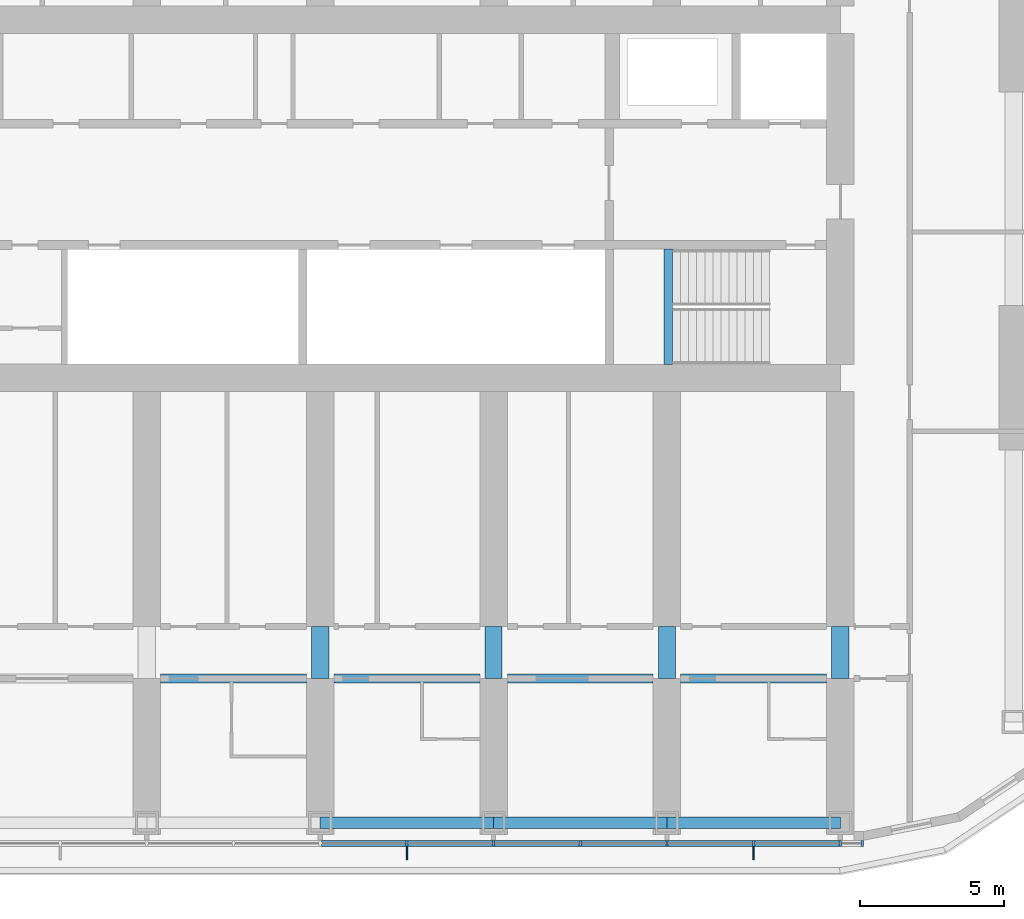
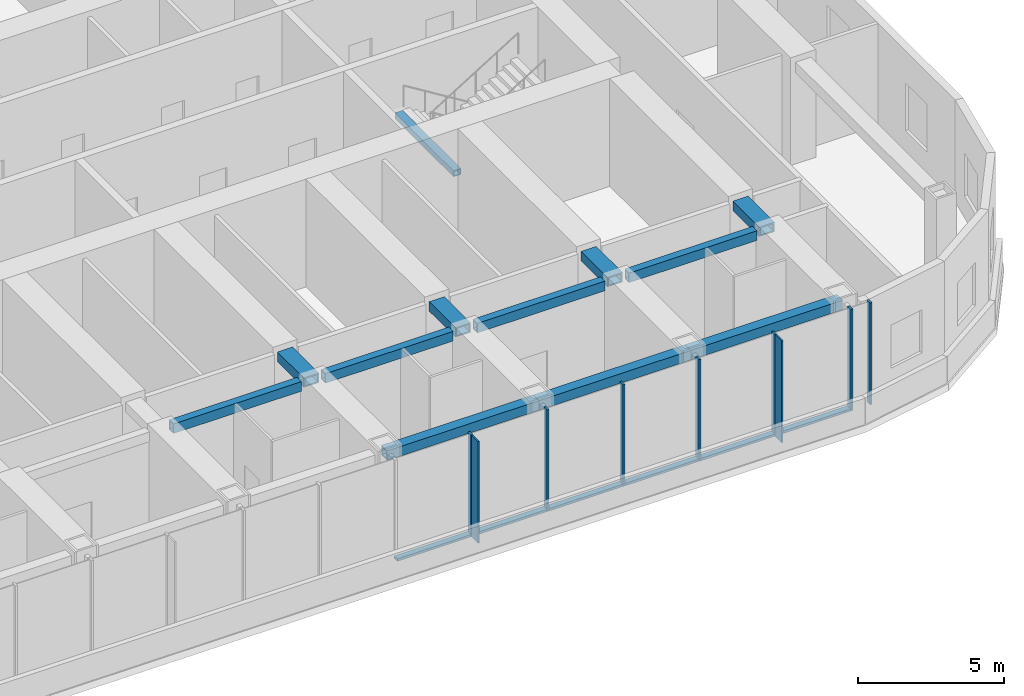
# One storey, part 3 of 32: 15 members, 12 beams, 1 element without a shape of its own.
"""IFC4 building model written with IfcOpenShell, lengths in metres."""

from ifc_helpers import new_model, si_unit, direction, frame, origin, origin_2d, place, context, subcontext, project, spatial, rectangle, hollow_rectangle, extrude, material, material_profile, profile_set, type_object, element, aggregate, save


model = new_model("IFC4")

# Units and contexts
model_context = context("Model", 3, precision=1e-05, world=origin(), true_north=direction((0.0, 1.0)))
body_context = subcontext(model_context, "Body", "Model", "MODEL_VIEW")
ifc_project = project(units=[si_unit("LENGTHUNIT", "METRE"), si_unit("AREAUNIT", "SQUARE_METRE"), si_unit("VOLUMEUNIT", "CUBIC_METRE"), si_unit("PLANEANGLEUNIT", "RADIAN"), si_unit("MASSUNIT", "GRAM", prefix="KILO")], contexts=[model_context])

# Site, building, storey
site_placement = place(None, origin())
site = spatial("IfcSite", under=ifc_project, at=site_placement, CompositionType="ELEMENT")
building_placement = place(site_placement, origin())
building = spatial("IfcBuilding", under=site, at=building_placement, Name="Orbita Commons", CompositionType="ELEMENT")
storey_placement = place(building_placement, frame((0.0, 0.0, 140.35009765625)))
storey = spatial("IfcBuildingStorey", under=building, at=storey_placement, Name="L34", CompositionType="ELEMENT", Elevation=140.35009765625)

# Curtain wall, members
ifc_material_1 = material(Name="Anodised aluminium frame, pale silver", Category="aluminium")
curtain_wall_type = type_object("IfcCurtainWallType", Name="Unitised curtain wall CW-S, full-height", PredefinedType="NOTDEFINED", material=ifc_material_1)
curtain_wall_placement = place(storey_placement, origin())
curtain_wall = element("IfcCurtainWall", 1, at=curtain_wall_placement, inside=storey, type_object=curtain_wall_type, Name="Curtain wall south L34", PredefinedType="NOTDEFINED")
ifc_material_2 = material(Name="Anodised aluminium, pale silver", Category="aluminium")
ifc_material_profile_1 = material_profile(ifc_material_2, rectangle(XDim=0.080078125, YDim=0.219970703125, at=origin_2d()), Name="AL 80x220")
ifc_profile_set_1 = profile_set([ifc_material_profile_1], Name="Anodised aluminium, pale silver")
member_type_1 = type_object("IfcMemberType", Name="Curtain wall mullion 80x220", PredefinedType="MULLION", material=ifc_profile_set_1)
member_1_placement = place(storey_placement, frame((51.0, 9.68994140625, 0.0), z_axis=(0.0, 0.0, 1.0), x_axis=(1.0, 0.0, 0.0)))
member_1 = element("IfcMember", 2, at=member_1_placement, type_object=member_type_1, Name="Mullion 13 CW-L34-S", PredefinedType="MULLION", context=body_context, shape_type="SweptSolid", body=[
    extrude(rectangle(XDim=0.080078125, YDim=0.219970703125, at=origin_2d()), origin(), (0.0, 0.0, 1.0), 4.25),
])
member_2_placement = place(storey_placement, frame((54.0, 9.68994140625, 0.0), z_axis=(0.0, 0.0, 1.0), x_axis=(1.0, 0.0, 0.0)))
member_2 = element("IfcMember", 3, at=member_2_placement, type_object=member_type_1, Name="Mullion 14 CW-L34-S", PredefinedType="MULLION", context=body_context, shape_type="SweptSolid", body=[
    extrude(rectangle(XDim=0.080078125, YDim=0.219970703125, at=origin_2d()), origin(), (0.0, 0.0, 1.0), 4.25),
])
member_3_placement = place(storey_placement, frame((57.0, 9.68994140625, 0.0), z_axis=(0.0, 0.0, 1.0), x_axis=(1.0, 0.0, 0.0)))
member_3 = element("IfcMember", 4, at=member_3_placement, type_object=member_type_1, Name="Mullion 15 CW-L34-S", PredefinedType="MULLION", context=body_context, shape_type="SweptSolid", body=[
    extrude(rectangle(XDim=0.080078125, YDim=0.219970703125, at=origin_2d()), origin(), (0.0, 0.0, 1.0), 4.25),
])
member_4_placement = place(storey_placement, frame((60.0, 9.68994140625, 0.0), z_axis=(0.0, 0.0, 1.0), x_axis=(1.0, 0.0, 0.0)))
member_4 = element("IfcMember", 5, at=member_4_placement, type_object=member_type_1, Name="Mullion 16 CW-L34-S", PredefinedType="MULLION", context=body_context, shape_type="SweptSolid", body=[
    extrude(rectangle(XDim=0.080078125, YDim=0.219970703125, at=origin_2d()), origin(), (0.0, 0.0, 1.0), 4.25),
])
member_5_placement = place(storey_placement, frame((63.0, 9.68994140625, 0.0), z_axis=(0.0, 0.0, 1.0), x_axis=(1.0, 0.0, 0.0)))
member_5 = element("IfcMember", 6, at=member_5_placement, type_object=member_type_1, Name="Mullion 17 CW-L34-S", PredefinedType="MULLION", context=body_context, shape_type="SweptSolid", body=[
    extrude(rectangle(XDim=0.080078125, YDim=0.219970703125, at=origin_2d()), origin(), (0.0, 0.0, 1.0), 4.25),
])
member_6_placement = place(storey_placement, frame((66.0, 9.68994140625, 0.0), z_axis=(0.0, 0.0, 1.0), x_axis=(1.0, 0.0, 0.0)))
member_6 = element("IfcMember", 7, at=member_6_placement, type_object=member_type_1, Name="Mullion 18 CW-L34-S", PredefinedType="MULLION", context=body_context, shape_type="SweptSolid", body=[
    extrude(rectangle(XDim=0.080078125, YDim=0.219970703125, at=origin_2d()), origin(), (0.0, 0.0, 1.0), 4.25),
])
member_7_placement = place(storey_placement, frame((66.760009765625, 9.68994140625, 0.0), z_axis=(0.0, 0.0, 1.0), x_axis=(1.0, 0.0, 0.0)))
member_7 = element("IfcMember", 8, at=member_7_placement, type_object=member_type_1, Name="Mullion 19 CW-L34-S", PredefinedType="MULLION", context=body_context, shape_type="SweptSolid", body=[
    extrude(rectangle(XDim=0.080078125, YDim=0.219970703125, at=origin_2d()), origin(), (0.0, 0.0, 1.0), 4.25),
])
ifc_material_3 = material(Name="Anodised aluminium, pale silver", Category="aluminium")
ifc_material_profile_2 = material_profile(ifc_material_3, rectangle(XDim=0.219970703125, YDim=0.10009765625, at=origin_2d()), Name="AL 220x100")
ifc_profile_set_2 = profile_set([ifc_material_profile_2], Name="Anodised aluminium, pale silver")
member_type_2 = type_object("IfcMemberType", Name="Curtain wall stack transom 220x100", PredefinedType="USERDEFINED", material=ifc_profile_set_2)
member_8_placement = place(storey_placement, frame((48.0400390625, 9.68994140625, 0.0498046875), z_axis=(1.0, 0.0, 0.0), x_axis=(0.0, 1.0, 0.0)))
member_8 = element("IfcMember", 9, at=member_8_placement, type_object=member_type_2, Name="Transom 12.1 CW-L34-S", ObjectType="TRANSOM", PredefinedType="USERDEFINED", context=body_context, shape_type="SweptSolid", body=[
    extrude(rectangle(XDim=0.219970703125, YDim=0.10009765625, at=origin_2d()), origin(), (0.0, 0.0, 1.0), 2.919921875),
])
member_9_placement = place(storey_placement, frame((51.0400390625, 9.68994140625, 0.0498046875), z_axis=(1.0, 0.0, 0.0), x_axis=(0.0, 1.0, 0.0)))
member_9 = element("IfcMember", 10, at=member_9_placement, type_object=member_type_2, Name="Transom 13.1 CW-L34-S", ObjectType="TRANSOM", PredefinedType="USERDEFINED", context=body_context, shape_type="SweptSolid", body=[
    extrude(rectangle(XDim=0.219970703125, YDim=0.10009765625, at=origin_2d()), origin(), (0.0, 0.0, 1.0), 2.919921875),
])
member_10_placement = place(storey_placement, frame((54.0400390625, 9.68994140625, 0.0498046875), z_axis=(1.0, 0.0, 0.0), x_axis=(0.0, 1.0, 0.0)))
member_10 = element("IfcMember", 11, at=member_10_placement, type_object=member_type_2, Name="Transom 14.1 CW-L34-S", ObjectType="TRANSOM", PredefinedType="USERDEFINED", context=body_context, shape_type="SweptSolid", body=[
    extrude(rectangle(XDim=0.219970703125, YDim=0.10009765625, at=origin_2d()), origin(), (0.0, 0.0, 1.0), 2.919921875),
])
member_11_placement = place(storey_placement, frame((57.0400390625, 9.68994140625, 0.0498046875), z_axis=(1.0, 0.0, 0.0), x_axis=(0.0, 1.0, 0.0)))
member_11 = element("IfcMember", 12, at=member_11_placement, type_object=member_type_2, Name="Transom 15.1 CW-L34-S", ObjectType="TRANSOM", PredefinedType="USERDEFINED", context=body_context, shape_type="SweptSolid", body=[
    extrude(rectangle(XDim=0.219970703125, YDim=0.10009765625, at=origin_2d()), origin(), (0.0, 0.0, 1.0), 2.919921875),
])
member_12_placement = place(storey_placement, frame((60.0400390625, 9.68994140625, 0.0498046875), z_axis=(1.0, 0.0, 0.0), x_axis=(0.0, 1.0, 0.0)))
member_12 = element("IfcMember", 13, at=member_12_placement, type_object=member_type_2, Name="Transom 16.1 CW-L34-S", ObjectType="TRANSOM", PredefinedType="USERDEFINED", context=body_context, shape_type="SweptSolid", body=[
    extrude(rectangle(XDim=0.219970703125, YDim=0.10009765625, at=origin_2d()), origin(), (0.0, 0.0, 1.0), 2.919921875),
])
member_13_placement = place(storey_placement, frame((63.0400390625, 9.68994140625, 0.0498046875), z_axis=(1.0, 0.0, 0.0), x_axis=(0.0, 1.0, 0.0)))
member_13 = element("IfcMember", 14, at=member_13_placement, type_object=member_type_2, Name="Transom 17.1 CW-L34-S", ObjectType="TRANSOM", PredefinedType="USERDEFINED", context=body_context, shape_type="SweptSolid", body=[
    extrude(rectangle(XDim=0.219970703125, YDim=0.10009765625, at=origin_2d()), origin(), (0.0, 0.0, 1.0), 2.919921875),
])

# Beams
ifc_material_4 = material(Name="Steel ASTM A572 Gr 50 welded plate", Category="steel")
ifc_material_profile_3 = material_profile(ifc_material_4, hollow_rectangle(XDim=0.300048828125, YDim=0.25, WallThickness=0.02490234375, at=origin_2d()), Name="BOX 250x300x25")
ifc_profile_set_3 = profile_set([ifc_material_profile_3], Name="Steel ASTM A572 Gr 50 welded plate")
beam_type_1 = type_object("IfcBeamType", Name="Stair landing beam steel BOX 250x300x25", PredefinedType="BEAM", material=ifc_profile_set_3)
beam_placement = place(storey_placement, frame((60.0400390625, 26.260009765625, 1.9248046875), z_axis=(0.0, 1.0, 0.0), x_axis=(-1.0, 0.0, 0.0)))
element("IfcBeam", 15, at=beam_placement, inside=storey, type_object=beam_type_1, Name="Stair S2 landing beam L34 1", PredefinedType="BEAM", context=body_context, shape_type="SweptSolid", body=[
    extrude(hollow_rectangle(XDim=0.300048828125, YDim=0.25, WallThickness=0.02490234375, at=origin_2d()), origin(), (0.0, 0.0, 1.0), 4.0048828125),
])
ifc_material_5 = material(Name="Steel ASTM A572 Gr 50 welded plate", Category="steel")
ifc_material_profile_4 = material_profile(ifc_material_5, hollow_rectangle(XDim=0.300048828125, YDim=0.39990234375, WallThickness=0.0400390625, at=origin_2d()), Name="BOX 400x300x40")
ifc_profile_set_4 = profile_set([ifc_material_profile_4], Name="Steel ASTM A572 Gr 50 welded plate")
beam_type_2 = type_object("IfcBeamType", Name="Steel corridor link BOX 400x300x40", PredefinedType="BEAM", material=ifc_profile_set_4)
for number, where, z_axis, x_axis, name in (
    (16, (42.47509765625, 15.39990234375, 4.0498046875), (1.0, 0.0, 0.0), (0.0, 1.0, 0.0), "Corridor beam SA 8-9 L34"),
    (17, (48.47509765625, 15.39990234375, 4.0498046875), (1.0, 0.0, 0.0), (0.0, 1.0, 0.0), "Corridor beam SA 9-10 L34"),
    (18, (54.47509765625, 15.39990234375, 4.0498046875), (1.0, 0.0, 0.0), (0.0, 1.0, 0.0), "Corridor beam SA 10-11 L34"),
    (19, (60.47509765625, 15.39990234375, 4.0498046875), (1.0, 0.0, 0.0), (0.0, 1.0, 0.0), "Corridor beam SA 11-12 L34"),
):
    element("IfcBeam", number, at=place(storey_placement, frame(where, z_axis=z_axis, x_axis=x_axis)), inside=storey, type_object=beam_type_2, Name=name, PredefinedType="BEAM", context=body_context, shape_type="SweptSolid", body=[
        extrude(hollow_rectangle(XDim=0.300048828125, YDim=0.39990234375, WallThickness=0.0400390625, at=origin_2d()), origin(), (0.0, 0.0, 1.0), 5.0498046875),
    ])
ifc_material_6 = material(Name="Steel ASTM A572 Gr 50 welded plate", Category="steel")
ifc_material_profile_5 = material_profile(ifc_material_6, hollow_rectangle(XDim=0.60009765625, YDim=0.39990234375, WallThickness=0.050048828125, at=origin_2d()), Name="BOX 400x600x50")
ifc_profile_set_5 = profile_set([ifc_material_profile_5], Name="Steel ASTM A572 Gr 50 welded plate")
beam_type_3 = type_object("IfcBeamType", Name="Steel coupling link BOX 400x600x50", PredefinedType="LINTEL", material=ifc_profile_set_5)
for number, where, z_axis, x_axis, name in (
    (20, (48.0, 15.39990234375, 4.0498046875), (0.0, 1.0, 0.0), (-1.0, 0.0, 0.0), "Coupling beam 9 south L34"),
    (21, (54.0, 15.39990234375, 4.0498046875), (0.0, 1.0, 0.0), (-1.0, 0.0, 0.0), "Coupling beam 10 south L34"),
    (22, (60.0, 15.39990234375, 4.0498046875), (0.0, 1.0, 0.0), (-1.0, 0.0, 0.0), "Coupling beam 11 south L34"),
    (23, (66.0, 15.39990234375, 4.0498046875), (0.0, 1.0, 0.0), (-1.0, 0.0, 0.0), "Coupling beam 12 south L34"),
):
    element("IfcBeam", number, at=place(storey_placement, frame(where, z_axis=z_axis, x_axis=x_axis)), inside=storey, type_object=beam_type_3, Name=name, PredefinedType="LINTEL", context=body_context, shape_type="SweptSolid", body=[
        extrude(hollow_rectangle(XDim=0.60009765625, YDim=0.39990234375, WallThickness=0.050048828125, at=origin_2d()), origin(), (0.0, 0.0, 1.0), 1.800048828125),
    ])
ifc_material_7 = material(Name="Steel ASTM A572 Gr 50 welded plate", Category="steel")
ifc_material_profile_6 = material_profile(ifc_material_7, hollow_rectangle(XDim=0.39990234375, YDim=0.39990234375, WallThickness=0.0400390625, at=origin_2d()), Name="BOX 400x400x40")
ifc_profile_set_6 = profile_set([ifc_material_profile_6], Name="Steel ASTM A572 Gr 50 welded plate")
beam_type_4 = type_object("IfcBeamType", Name="Steel spandrel BOX 400x400x40", PredefinedType="SPANDREL", material=ifc_profile_set_6)
for number, where, z_axis, x_axis, name in (
    (24, (48.0, 10.39990234375, 4.0498046875), (1.0, 0.0, 0.0), (0.0, 1.0, 0.0), "Spandrel beam B 9-10 L34"),
    (25, (54.0, 10.39990234375, 4.0498046875), (1.0, 0.0, 0.0), (0.0, 1.0, 0.0), "Spandrel beam B 10-11 L34"),
    (26, (60.0, 10.39990234375, 4.0498046875), (1.0, 0.0, 0.0), (0.0, 1.0, 0.0), "Spandrel beam B 11-12 L34"),
):
    element("IfcBeam", number, at=place(storey_placement, frame(where, z_axis=z_axis, x_axis=x_axis)), inside=storey, type_object=beam_type_4, Name=name, PredefinedType="SPANDREL", context=body_context, shape_type="SweptSolid", body=[
        extrude(hollow_rectangle(XDim=0.39990234375, YDim=0.39990234375, WallThickness=0.0400390625, at=origin_2d()), origin(), (0.0, 0.0, 1.0), 6.0),
    ])

# Member
ifc_material_8 = material(Name="Anodised aluminium, pale silver", Category="aluminium")
ifc_material_profile_7 = material_profile(ifc_material_8, rectangle(XDim=0.06005859375, YDim=0.449951171875, at=origin_2d()), Name="FIN 60x450")
ifc_profile_set_7 = profile_set([ifc_material_profile_7], Name="Anodised aluminium, pale silver")
member_type_3 = type_object("IfcMemberType", Name="Vertical fin 60x450 pale aluminium", PredefinedType="USERDEFINED", material=ifc_profile_set_7)
member_14_placement = place(storey_placement, frame((51.0, 9.35498046875, 0.0), z_axis=(0.0, 0.0, 1.0), x_axis=(1.0, 0.0, 0.0)))
member_14 = element("IfcMember", 27, at=member_14_placement, type_object=member_type_3, Name="Fin 13 CW-L34-S", ObjectType="FIN", PredefinedType="USERDEFINED", context=body_context, shape_type="SweptSolid", body=[
    extrude(rectangle(XDim=0.06005859375, YDim=0.449951171875, at=origin_2d()), origin(), (0.0, 0.0, 1.0), 4.25),
])

member_15_placement = place(storey_placement, frame((63.0, 9.35498046875, 0.0), z_axis=(0.0, 0.0, 1.0), x_axis=(1.0, 0.0, 0.0)))
member_15 = element("IfcMember", 28, at=member_15_placement, type_object=member_type_3, Name="Fin 17 CW-L34-S", ObjectType="FIN", PredefinedType="USERDEFINED", context=body_context, shape_type="SweptSolid", body=[
    extrude(rectangle(XDim=0.06005859375, YDim=0.449951171875, at=origin_2d()), origin(), (0.0, 0.0, 1.0), 4.25),
])

aggregate(curtain_wall, [member_1, member_14, member_2, member_3, member_4, member_5, member_15, member_6, member_7, member_8, member_9, member_10, member_11, member_12, member_13])

save(model, "model.ifc")
